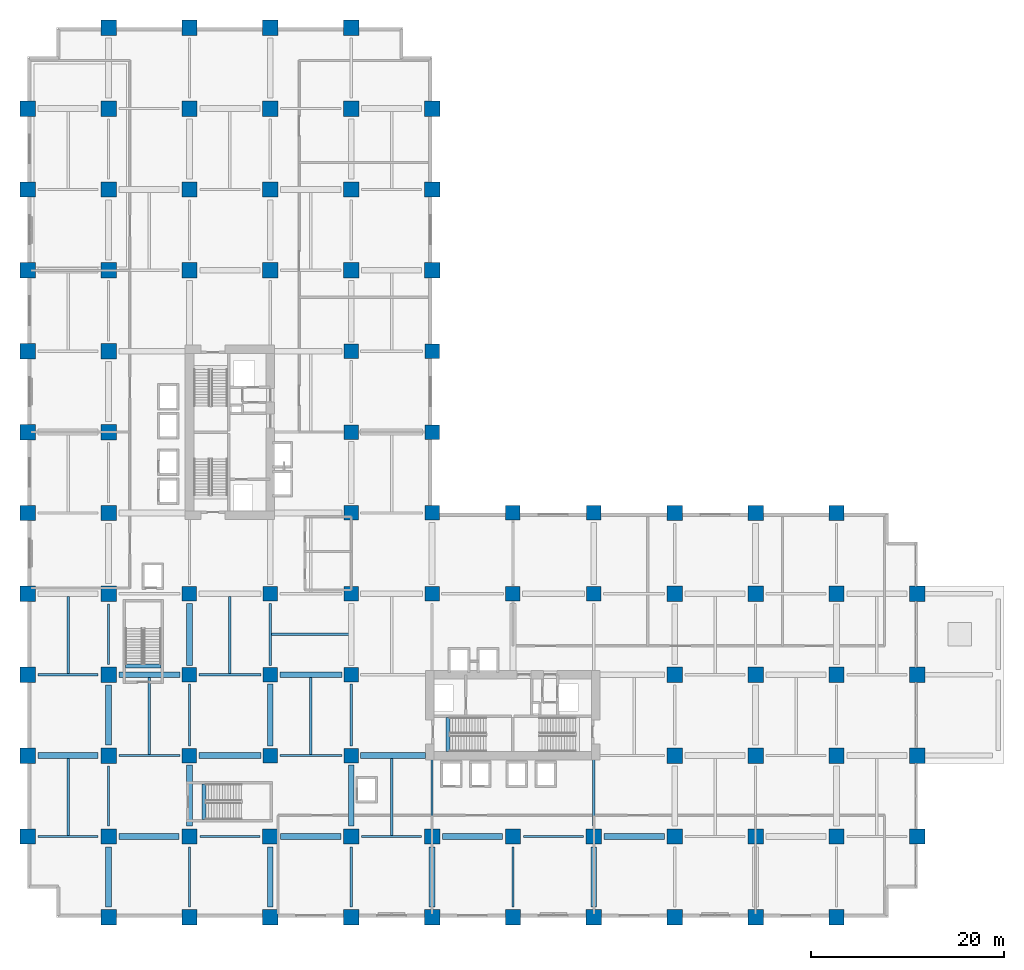
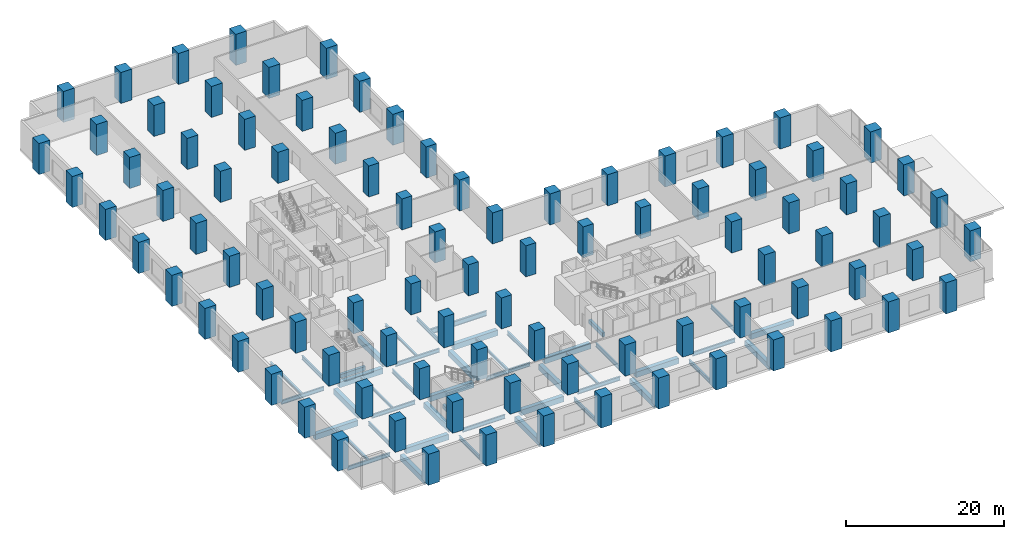
# One storey, part 1 of 22: 91 columns, 46 beams.
"""IFC4 building model written with IfcOpenShell, lengths in metres."""

from ifc_helpers import new_model, si_unit, direction, frame, origin, origin_2d, place, context, subcontext, project, spatial, rectangle, i_section, extrude, material, material_profile, profile_set, type_object, element, save


model = new_model("IFC4")

# Units and contexts
model_context = context("Model", 3, precision=1e-05, world=origin(), true_north=direction((0.0, 1.0)))
body_context = subcontext(model_context, "Body", "Model", "MODEL_VIEW")
ifc_project = project(units=[si_unit("LENGTHUNIT", "METRE"), si_unit("AREAUNIT", "SQUARE_METRE"), si_unit("VOLUMEUNIT", "CUBIC_METRE"), si_unit("PLANEANGLEUNIT", "RADIAN"), si_unit("MASSUNIT", "GRAM", prefix="KILO")], contexts=[model_context])

# Site, building, storey
site_placement = place(None, origin())
site = spatial("IfcSite", under=ifc_project, at=site_placement, CompositionType="ELEMENT")
building_placement = place(site_placement, origin())
building = spatial("IfcBuilding", under=site, at=building_placement, Name="Koriwani Terraces Tower", CompositionType="ELEMENT")
storey_placement = place(building_placement, frame((0.0, 0.0, 6.0)))
storey = spatial("IfcBuildingStorey", under=building, at=storey_placement, Name="L01", CompositionType="ELEMENT", Elevation=6.0)

# Columns
ifc_material_1 = material(Name="Concrete C60/75", Category="concrete")
ifc_material_profile_1 = material_profile(ifc_material_1, rectangle(XDim=1.5, YDim=1.5, at=origin_2d()), Name="Concrete C60/75", Category="LoadBearing")
ifc_profile_set_1 = profile_set([ifc_material_profile_1], Name="Concrete C60/75")
column_type_1 = type_object("IfcColumnType", Name="COL_RC_1500X1500", PredefinedType="COLUMN", material=ifc_profile_set_1)
for number, where, z_axis, x_axis, name in (
    (1, (16.800048828125, 16.800048828125, 0.0), (0.0, 0.0, 1.0), (1.0, 0.0, 0.0), "L01 Column 3/C"),
    (2, (16.800048828125, 25.199951171875, 0.0), (0.0, 0.0, 1.0), (1.0, 0.0, 0.0), "L01 Column 3/D"),
    (3, (16.800048828125, 33.60009765625, 0.0), (0.0, 0.0, 1.0), (1.0, 0.0, 0.0), "L01 Column 3/E"),
    (4, (25.199951171875, 16.800048828125, 0.0), (0.0, 0.0, 1.0), (1.0, 0.0, 0.0), "L01 Column 4/C"),
    (5, (25.199951171875, 25.199951171875, 0.0), (0.0, 0.0, 1.0), (1.0, 0.0, 0.0), "L01 Column 4/D"),
    (6, (25.199951171875, 33.60009765625, 0.0), (0.0, 0.0, 1.0), (1.0, 0.0, 0.0), "L01 Column 4/E"),
    (7, (33.60009765625, 16.800048828125, 0.0), (0.0, 0.0, 1.0), (1.0, 0.0, 0.0), "L01 Column 5/C"),
    (8, (33.60009765625, 25.199951171875, 0.0), (0.0, 0.0, 1.0), (1.0, 0.0, 0.0), "L01 Column 5/D"),
    (9, (33.60009765625, 33.60009765625, 0.0), (0.0, 0.0, 1.0), (1.0, 0.0, 0.0), "L01 Column 5/E"),
    (10, (33.60009765625, 42.0, 0.0), (0.0, 0.0, 1.0), (1.0, 0.0, 0.0), "L01 Column 5/F"),
    (11, (33.60009765625, 50.39990234375, 0.0), (0.0, 0.0, 1.0), (1.0, 0.0, 0.0), "L01 Column 5/G"),
    (12, (33.60009765625, 58.800048828125, 0.0), (0.0, 0.0, 1.0), (1.0, 0.0, 0.0), "L01 Column 5/H"),
    (13, (42.0, 33.60009765625, 0.0), (0.0, 0.0, 1.0), (1.0, 0.0, 0.0), "L01 Column 6/E"),
    (14, (42.0, 42.0, 0.0), (0.0, 0.0, 1.0), (1.0, 0.0, 0.0), "L01 Column 6/F"),
    (15, (42.0, 50.39990234375, 0.0), (0.0, 0.0, 1.0), (1.0, 0.0, 0.0), "L01 Column 6/G"),
    (16, (42.0, 58.800048828125, 0.0), (0.0, 0.0, 1.0), (1.0, 0.0, 0.0), "L01 Column 6/H"),
    (17, (50.39990234375, 33.60009765625, 0.0), (0.0, 0.0, 1.0), (1.0, 0.0, 0.0), "L01 Column 7/E"),
    (18, (50.39990234375, 42.0, 0.0), (0.0, 0.0, 1.0), (1.0, 0.0, 0.0), "L01 Column 7/F"),
    (19, (58.800048828125, 33.60009765625, 0.0), (0.0, 0.0, 1.0), (1.0, 0.0, 0.0), "L01 Column 8/E"),
    (20, (58.800048828125, 42.0, 0.0), (0.0, 0.0, 1.0), (1.0, 0.0, 0.0), "L01 Column 8/F"),
):
    element("IfcColumn", number, at=place(storey_placement, frame(where, z_axis=z_axis, x_axis=x_axis)), inside=storey, type_object=column_type_1, Name=name, PredefinedType="COLUMN", context=body_context, shape_type="SweptSolid", body=[
        extrude(rectangle(XDim=1.5, YDim=1.5, at=origin_2d()), origin(), (0.0, 0.0, 1.0), 4.800048828125),
    ])
ifc_material_profile_2 = material_profile(ifc_material_1, rectangle(XDim=1.60009765625, YDim=1.60009765625, at=origin_2d()), Name="Concrete C60/75", Category="LoadBearing")
ifc_profile_set_2 = profile_set([ifc_material_profile_2], Name="Concrete C60/75")
column_type_2 = type_object("IfcColumnType", Name="COL_RC_1600X1600", PredefinedType="COLUMN", material=ifc_profile_set_2)
for number, where, z_axis, x_axis, name in (
    (21, (0.0, 8.39990234375, 0.0), (0.0, 0.0, 1.0), (1.0, 0.0, 0.0), "L01 Column 1/B"),
    (22, (0.0, 16.800048828125, 0.0), (0.0, 0.0, 1.0), (1.0, 0.0, 0.0), "L01 Column 1/C"),
    (23, (0.0, 25.199951171875, 0.0), (0.0, 0.0, 1.0), (1.0, 0.0, 0.0), "L01 Column 1/D"),
    (24, (0.0, 33.60009765625, 0.0), (0.0, 0.0, 1.0), (1.0, 0.0, 0.0), "L01 Column 1/E"),
    (25, (0.0, 42.0, 0.0), (0.0, 0.0, 1.0), (1.0, 0.0, 0.0), "L01 Column 1/F"),
    (26, (0.0, 50.39990234375, 0.0), (0.0, 0.0, 1.0), (1.0, 0.0, 0.0), "L01 Column 1/G"),
    (27, (0.0, 58.800048828125, 0.0), (0.0, 0.0, 1.0), (1.0, 0.0, 0.0), "L01 Column 1/H"),
    (28, (0.0, 67.199951171875, 0.0), (0.0, 0.0, 1.0), (1.0, 0.0, 0.0), "L01 Column 1/I"),
    (29, (0.0, 75.60009765625, 0.0), (0.0, 0.0, 1.0), (1.0, 0.0, 0.0), "L01 Column 1/J"),
    (30, (0.0, 84.0, 0.0), (0.0, 0.0, 1.0), (1.0, 0.0, 0.0), "L01 Column 1/K"),
    (31, (8.39990234375, 0.0, 0.0), (0.0, 0.0, 1.0), (1.0, 0.0, 0.0), "L01 Column 2/A"),
    (32, (8.39990234375, 8.39990234375, 0.0), (0.0, 0.0, 1.0), (1.0, 0.0, 0.0), "L01 Column 2/B"),
    (33, (8.39990234375, 16.800048828125, 0.0), (0.0, 0.0, 1.0), (1.0, 0.0, 0.0), "L01 Column 2/C"),
    (34, (8.39990234375, 25.199951171875, 0.0), (0.0, 0.0, 1.0), (1.0, 0.0, 0.0), "L01 Column 2/D"),
    (35, (8.39990234375, 33.60009765625, 0.0), (0.0, 0.0, 1.0), (1.0, 0.0, 0.0), "L01 Column 2/E"),
    (36, (8.39990234375, 42.0, 0.0), (0.0, 0.0, 1.0), (1.0, 0.0, 0.0), "L01 Column 2/F"),
    (37, (8.39990234375, 50.39990234375, 0.0), (0.0, 0.0, 1.0), (1.0, 0.0, 0.0), "L01 Column 2/G"),
    (38, (8.39990234375, 58.800048828125, 0.0), (0.0, 0.0, 1.0), (1.0, 0.0, 0.0), "L01 Column 2/H"),
    (39, (8.39990234375, 67.199951171875, 0.0), (0.0, 0.0, 1.0), (1.0, 0.0, 0.0), "L01 Column 2/I"),
    (40, (8.39990234375, 75.60009765625, 0.0), (0.0, 0.0, 1.0), (1.0, 0.0, 0.0), "L01 Column 2/J"),
    (41, (8.39990234375, 84.0, 0.0), (0.0, 0.0, 1.0), (1.0, 0.0, 0.0), "L01 Column 2/K"),
    (42, (8.39990234375, 92.39990234375, 0.0), (0.0, 0.0, 1.0), (1.0, 0.0, 0.0), "L01 Column 2/L"),
    (43, (16.800048828125, 0.0, 0.0), (0.0, 0.0, 1.0), (1.0, 0.0, 0.0), "L01 Column 3/A"),
    (44, (16.800048828125, 8.39990234375, 0.0), (0.0, 0.0, 1.0), (1.0, 0.0, 0.0), "L01 Column 3/B"),
    (45, (16.800048828125, 67.199951171875, 0.0), (0.0, 0.0, 1.0), (1.0, 0.0, 0.0), "L01 Column 3/I"),
    (46, (16.800048828125, 75.60009765625, 0.0), (0.0, 0.0, 1.0), (1.0, 0.0, 0.0), "L01 Column 3/J"),
    (47, (16.800048828125, 84.0, 0.0), (0.0, 0.0, 1.0), (1.0, 0.0, 0.0), "L01 Column 3/K"),
    (48, (16.800048828125, 92.39990234375, 0.0), (0.0, 0.0, 1.0), (1.0, 0.0, 0.0), "L01 Column 3/L"),
    (49, (25.199951171875, 0.0, 0.0), (0.0, 0.0, 1.0), (1.0, 0.0, 0.0), "L01 Column 4/A"),
    (50, (25.199951171875, 8.39990234375, 0.0), (0.0, 0.0, 1.0), (1.0, 0.0, 0.0), "L01 Column 4/B"),
    (51, (25.199951171875, 67.199951171875, 0.0), (0.0, 0.0, 1.0), (1.0, 0.0, 0.0), "L01 Column 4/I"),
    (52, (25.199951171875, 75.60009765625, 0.0), (0.0, 0.0, 1.0), (1.0, 0.0, 0.0), "L01 Column 4/J"),
    (53, (25.199951171875, 84.0, 0.0), (0.0, 0.0, 1.0), (1.0, 0.0, 0.0), "L01 Column 4/K"),
    (54, (25.199951171875, 92.39990234375, 0.0), (0.0, 0.0, 1.0), (1.0, 0.0, 0.0), "L01 Column 4/L"),
    (55, (33.60009765625, 0.0, 0.0), (0.0, 0.0, 1.0), (1.0, 0.0, 0.0), "L01 Column 5/A"),
    (56, (33.60009765625, 8.39990234375, 0.0), (0.0, 0.0, 1.0), (1.0, 0.0, 0.0), "L01 Column 5/B"),
    (57, (33.60009765625, 67.199951171875, 0.0), (0.0, 0.0, 1.0), (1.0, 0.0, 0.0), "L01 Column 5/I"),
    (58, (33.60009765625, 75.60009765625, 0.0), (0.0, 0.0, 1.0), (1.0, 0.0, 0.0), "L01 Column 5/J"),
    (59, (33.60009765625, 84.0, 0.0), (0.0, 0.0, 1.0), (1.0, 0.0, 0.0), "L01 Column 5/K"),
    (60, (33.60009765625, 92.39990234375, 0.0), (0.0, 0.0, 1.0), (1.0, 0.0, 0.0), "L01 Column 5/L"),
    (61, (42.0, 0.0, 0.0), (0.0, 0.0, 1.0), (1.0, 0.0, 0.0), "L01 Column 6/A"),
    (62, (42.0, 8.39990234375, 0.0), (0.0, 0.0, 1.0), (1.0, 0.0, 0.0), "L01 Column 6/B"),
    (63, (42.0, 67.199951171875, 0.0), (0.0, 0.0, 1.0), (1.0, 0.0, 0.0), "L01 Column 6/I"),
    (64, (42.0, 75.60009765625, 0.0), (0.0, 0.0, 1.0), (1.0, 0.0, 0.0), "L01 Column 6/J"),
    (65, (42.0, 84.0, 0.0), (0.0, 0.0, 1.0), (1.0, 0.0, 0.0), "L01 Column 6/K"),
    (66, (50.39990234375, 0.0, 0.0), (0.0, 0.0, 1.0), (1.0, 0.0, 0.0), "L01 Column 7/A"),
    (67, (50.39990234375, 8.39990234375, 0.0), (0.0, 0.0, 1.0), (1.0, 0.0, 0.0), "L01 Column 7/B"),
    (68, (58.800048828125, 0.0, 0.0), (0.0, 0.0, 1.0), (1.0, 0.0, 0.0), "L01 Column 8/A"),
    (69, (58.800048828125, 8.39990234375, 0.0), (0.0, 0.0, 1.0), (1.0, 0.0, 0.0), "L01 Column 8/B"),
    (70, (67.199951171875, 0.0, 0.0), (0.0, 0.0, 1.0), (1.0, 0.0, 0.0), "L01 Column 9/A"),
    (71, (67.199951171875, 8.39990234375, 0.0), (0.0, 0.0, 1.0), (1.0, 0.0, 0.0), "L01 Column 9/B"),
    (72, (67.199951171875, 16.800048828125, 0.0), (0.0, 0.0, 1.0), (1.0, 0.0, 0.0), "L01 Column 9/C"),
    (73, (67.199951171875, 25.199951171875, 0.0), (0.0, 0.0, 1.0), (1.0, 0.0, 0.0), "L01 Column 9/D"),
    (74, (67.199951171875, 33.60009765625, 0.0), (0.0, 0.0, 1.0), (1.0, 0.0, 0.0), "L01 Column 9/E"),
    (75, (67.199951171875, 42.0, 0.0), (0.0, 0.0, 1.0), (1.0, 0.0, 0.0), "L01 Column 9/F"),
    (76, (75.60009765625, 0.0, 0.0), (0.0, 0.0, 1.0), (1.0, 0.0, 0.0), "L01 Column 10/A"),
    (77, (75.60009765625, 8.39990234375, 0.0), (0.0, 0.0, 1.0), (1.0, 0.0, 0.0), "L01 Column 10/B"),
    (78, (75.60009765625, 16.800048828125, 0.0), (0.0, 0.0, 1.0), (1.0, 0.0, 0.0), "L01 Column 10/C"),
    (79, (75.60009765625, 25.199951171875, 0.0), (0.0, 0.0, 1.0), (1.0, 0.0, 0.0), "L01 Column 10/D"),
    (80, (75.60009765625, 33.60009765625, 0.0), (0.0, 0.0, 1.0), (1.0, 0.0, 0.0), "L01 Column 10/E"),
    (81, (75.60009765625, 42.0, 0.0), (0.0, 0.0, 1.0), (1.0, 0.0, 0.0), "L01 Column 10/F"),
    (82, (84.0, 0.0, 0.0), (0.0, 0.0, 1.0), (1.0, 0.0, 0.0), "L01 Column 11/A"),
    (83, (84.0, 8.39990234375, 0.0), (0.0, 0.0, 1.0), (1.0, 0.0, 0.0), "L01 Column 11/B"),
    (84, (84.0, 16.800048828125, 0.0), (0.0, 0.0, 1.0), (1.0, 0.0, 0.0), "L01 Column 11/C"),
    (85, (84.0, 25.199951171875, 0.0), (0.0, 0.0, 1.0), (1.0, 0.0, 0.0), "L01 Column 11/D"),
    (86, (84.0, 33.60009765625, 0.0), (0.0, 0.0, 1.0), (1.0, 0.0, 0.0), "L01 Column 11/E"),
    (87, (84.0, 42.0, 0.0), (0.0, 0.0, 1.0), (1.0, 0.0, 0.0), "L01 Column 11/F"),
    (88, (92.39990234375, 8.39990234375, 0.0), (0.0, 0.0, 1.0), (1.0, 0.0, 0.0), "L01 Column 12/B"),
    (89, (92.39990234375, 16.800048828125, 0.0), (0.0, 0.0, 1.0), (1.0, 0.0, 0.0), "L01 Column 12/C"),
    (90, (92.39990234375, 25.199951171875, 0.0), (0.0, 0.0, 1.0), (1.0, 0.0, 0.0), "L01 Column 12/D"),
    (91, (92.39990234375, 33.60009765625, 0.0), (0.0, 0.0, 1.0), (1.0, 0.0, 0.0), "L01 Column 12/E"),
):
    element("IfcColumn", number, at=place(storey_placement, frame(where, z_axis=z_axis, x_axis=x_axis)), inside=storey, type_object=column_type_2, Name=name, PredefinedType="COLUMN", context=body_context, shape_type="SweptSolid", body=[
        extrude(rectangle(XDim=1.60009765625, YDim=1.60009765625, at=origin_2d()), origin(), (0.0, 0.0, 1.0), 4.800048828125),
    ])

# Beams
ifc_material_2 = material(Name="Concrete C40/50", Category="concrete")
ifc_material_profile_3 = material_profile(ifc_material_2, rectangle(XDim=0.39990234375, YDim=0.60009765625, at=origin_2d()), Name="Concrete C40/50", Category="LoadBearing")
ifc_profile_set_3 = profile_set([ifc_material_profile_3], Name="Concrete C40/50")
beam_type_1 = type_object("IfcBeamType", Name="BEAM_RC_GRID_400X600", PredefinedType="BEAM", material=ifc_profile_set_3)
beam_1_placement = place(storey_placement, frame((43.655029296875, 17.25, -0.300048828125), z_axis=(0.0, 1.0, 0.0), x_axis=(-1.0, 0.0, 0.0)))
element("IfcBeam", 92, at=beam_1_placement, inside=storey, type_object=beam_type_1, Name="L01 Stairwell Header Trimmer Beam ST-E1", PredefinedType="BEAM", context=body_context, shape_type="SweptSolid", body=[
    extrude(rectangle(XDim=0.39990234375, YDim=0.60009765625, at=origin_2d()), origin(), (0.0, 0.0, 1.0), 3.5),
])
for number, where, z_axis, x_axis, name in (
    (93, (10.14990234375, 26.10498046875, -0.300048828125), (1.0, 0.0, 0.0), (0.0, 1.0, 0.0), "L01 Stairwell Header Trimmer Beam ST-P1"),
    (94, (18.304931640625, 10.14990234375, -0.300048828125), (0.0, 1.0, 0.0), (-1.0, 0.0, 0.0), "L01 Stairwell Header Trimmer Beam ST-P2"),
):
    element("IfcBeam", number, at=place(storey_placement, frame(where, z_axis=z_axis, x_axis=x_axis)), inside=storey, type_object=beam_type_1, Name=name, PredefinedType="BEAM", context=body_context, shape_type="SweptSolid", body=[
        extrude(rectangle(XDim=0.39990234375, YDim=0.60009765625, at=origin_2d()), origin(), (0.0, 0.0, 1.0), 3.7001953125),
    ])
ifc_material_profile_4 = material_profile(ifc_material_1, rectangle(XDim=0.60009765625, YDim=0.85009765625, at=origin_2d()), Name="Concrete C60/75", Category="LoadBearing")
ifc_profile_set_4 = profile_set([ifc_material_profile_4], Name="Concrete C60/75")
beam_type_2 = type_object("IfcBeamType", Name="BEAM_RC_GRID_600X850", PredefinedType="BEAM", material=ifc_profile_set_4)
for number, where, z_axis, x_axis, name in (
    (95, (9.47998046875, 8.39990234375, -0.77490234375), (1.0, 0.0, 0.0), (0.0, 1.0, 0.0), "L01 Grid Beam B (8.4-16.8m)"),
    (96, (26.280029296875, 8.39990234375, -0.77490234375), (1.0, 0.0, 0.0), (0.0, 1.0, 0.0), "L01 Grid Beam B (25.2-33.6m)"),
    (97, (43.080078125, 8.39990234375, -0.77490234375), (1.0, 0.0, 0.0), (0.0, 1.0, 0.0), "L01 Grid Beam B (42.0-50.4m)"),
):
    element("IfcBeam", number, at=place(storey_placement, frame(where, z_axis=z_axis, x_axis=x_axis)), inside=storey, type_object=beam_type_2, Name=name, PredefinedType="BEAM", context=body_context, shape_type="SweptSolid", body=[
        extrude(rectangle(XDim=0.60009765625, YDim=0.85009765625, at=origin_2d()), origin(), (0.0, 0.0, 1.0), 6.239990234375),
    ])
beam_2_placement = place(storey_placement, frame((59.8798828125, 8.39990234375, -0.77490234375), z_axis=(1.0, 0.0, 0.0), x_axis=(0.0, 1.0, 0.0)))
element("IfcBeam", 98, at=beam_2_placement, inside=storey, type_object=beam_type_2, Name="L01 Grid Beam B (58.8-67.2m)", PredefinedType="BEAM", context=body_context, shape_type="SweptSolid", body=[
    extrude(rectangle(XDim=0.60009765625, YDim=0.85009765625, at=origin_2d()), origin(), (0.0, 0.0, 1.0), 6.240234375),
])
beam_3_placement = place(storey_placement, frame((1.080078125, 16.800048828125, -0.77490234375), z_axis=(1.0, 0.0, 0.0), x_axis=(0.0, 1.0, 0.0)))
element("IfcBeam", 99, at=beam_3_placement, inside=storey, type_object=beam_type_2, Name="L01 Grid Beam C (0.0-8.4m)", PredefinedType="BEAM", context=body_context, shape_type="SweptSolid", body=[
    extrude(rectangle(XDim=0.60009765625, YDim=0.85009765625, at=origin_2d()), origin(), (0.0, 0.0, 1.0), 6.239990234375),
])
beam_4_placement = place(storey_placement, frame((17.780029296875, 16.800048828125, -0.77490234375), z_axis=(1.0, 0.0, 0.0), x_axis=(0.0, 1.0, 0.0)))
element("IfcBeam", 100, at=beam_4_placement, inside=storey, type_object=beam_type_2, Name="L01 Grid Beam C (16.8-25.2m)", PredefinedType="BEAM", context=body_context, shape_type="SweptSolid", body=[
    extrude(rectangle(XDim=0.60009765625, YDim=0.85009765625, at=origin_2d()), origin(), (0.0, 0.0, 1.0), 6.43994140625),
])
beam_5_placement = place(storey_placement, frame((34.580078125, 16.800048828125, -0.77490234375), z_axis=(1.0, 0.0, 0.0), x_axis=(0.0, 1.0, 0.0)))
element("IfcBeam", 101, at=beam_5_placement, inside=storey, type_object=beam_type_2, Name="L01 Grid Beam C (33.6-42.0m)", PredefinedType="BEAM", context=body_context, shape_type="SweptSolid", body=[
    extrude(rectangle(XDim=0.60009765625, YDim=0.85009765625, at=origin_2d()), origin(), (0.0, 0.0, 1.0), 6.739990234375),
])
beam_6_placement = place(storey_placement, frame((9.47998046875, 25.199951171875, -0.77490234375), z_axis=(1.0, 0.0, 0.0), x_axis=(0.0, 1.0, 0.0)))
element("IfcBeam", 102, at=beam_6_placement, inside=storey, type_object=beam_type_2, Name="L01 Grid Beam D (8.4-16.8m)", PredefinedType="BEAM", context=body_context, shape_type="SweptSolid", body=[
    extrude(rectangle(XDim=0.60009765625, YDim=0.85009765625, at=origin_2d()), origin(), (0.0, 0.0, 1.0), 6.340087890625),
])
beam_7_placement = place(storey_placement, frame((26.179931640625, 25.199951171875, -0.77490234375), z_axis=(1.0, 0.0, 0.0), x_axis=(0.0, 1.0, 0.0)))
element("IfcBeam", 103, at=beam_7_placement, inside=storey, type_object=beam_type_2, Name="L01 Grid Beam D (25.2-33.6m)", PredefinedType="BEAM", context=body_context, shape_type="SweptSolid", body=[
    extrude(rectangle(XDim=0.60009765625, YDim=0.85009765625, at=origin_2d()), origin(), (0.0, 0.0, 1.0), 6.440185546875),
])
beam_8_placement = place(storey_placement, frame((8.39990234375, 1.080078125, -0.77490234375), z_axis=(0.0, 1.0, 0.0), x_axis=(-1.0, 0.0, 0.0)))
element("IfcBeam", 104, at=beam_8_placement, inside=storey, type_object=beam_type_2, Name="L01 Grid Beam 2 (0.0-8.4m)", PredefinedType="BEAM", context=body_context, shape_type="SweptSolid", body=[
    extrude(rectangle(XDim=0.60009765625, YDim=0.85009765625, at=origin_2d()), origin(), (0.0, 0.0, 1.0), 6.239990234375),
])
beam_9_placement = place(storey_placement, frame((8.39990234375, 17.8798828125, -0.77490234375), z_axis=(0.0, 1.0, 0.0), x_axis=(-1.0, 0.0, 0.0)))
element("IfcBeam", 105, at=beam_9_placement, inside=storey, type_object=beam_type_2, Name="L01 Grid Beam 2 (16.8-25.2m)", PredefinedType="BEAM", context=body_context, shape_type="SweptSolid", body=[
    extrude(rectangle(XDim=0.60009765625, YDim=0.85009765625, at=origin_2d()), origin(), (0.0, 0.0, 1.0), 6.240234375),
])
beam_10_placement = place(storey_placement, frame((16.800048828125, 9.47998046875, -0.77490234375), z_axis=(0.0, 1.0, 0.0), x_axis=(-1.0, 0.0, 0.0)))
element("IfcBeam", 106, at=beam_10_placement, inside=storey, type_object=beam_type_2, Name="L01 Grid Beam 3 (8.4-16.8m)", PredefinedType="BEAM", context=body_context, shape_type="SweptSolid", body=[
    extrude(rectangle(XDim=0.60009765625, YDim=0.85009765625, at=origin_2d()), origin(), (0.0, 0.0, 1.0), 6.340087890625),
])
beam_11_placement = place(storey_placement, frame((16.800048828125, 26.179931640625, -0.77490234375), z_axis=(0.0, 1.0, 0.0), x_axis=(-1.0, 0.0, 0.0)))
element("IfcBeam", 107, at=beam_11_placement, inside=storey, type_object=beam_type_2, Name="L01 Grid Beam 3 (25.2-33.6m)", PredefinedType="BEAM", context=body_context, shape_type="SweptSolid", body=[
    extrude(rectangle(XDim=0.60009765625, YDim=0.85009765625, at=origin_2d()), origin(), (0.0, 0.0, 1.0), 6.440185546875),
])
beam_12_placement = place(storey_placement, frame((25.199951171875, 1.080078125, -0.77490234375), z_axis=(0.0, 1.0, 0.0), x_axis=(-1.0, 0.0, 0.0)))
element("IfcBeam", 108, at=beam_12_placement, inside=storey, type_object=beam_type_2, Name="L01 Grid Beam 4 (0.0-8.4m)", PredefinedType="BEAM", context=body_context, shape_type="SweptSolid", body=[
    extrude(rectangle(XDim=0.60009765625, YDim=0.85009765625, at=origin_2d()), origin(), (0.0, 0.0, 1.0), 6.239990234375),
])
beam_13_placement = place(storey_placement, frame((25.199951171875, 17.780029296875, -0.77490234375), z_axis=(0.0, 1.0, 0.0), x_axis=(-1.0, 0.0, 0.0)))
element("IfcBeam", 109, at=beam_13_placement, inside=storey, type_object=beam_type_2, Name="L01 Grid Beam 4 (16.8-25.2m)", PredefinedType="BEAM", context=body_context, shape_type="SweptSolid", body=[
    extrude(rectangle(XDim=0.60009765625, YDim=0.85009765625, at=origin_2d()), origin(), (0.0, 0.0, 1.0), 6.43994140625),
])
beam_14_placement = place(storey_placement, frame((33.60009765625, 9.47998046875, -0.77490234375), z_axis=(0.0, 1.0, 0.0), x_axis=(-1.0, 0.0, 0.0)))
element("IfcBeam", 110, at=beam_14_placement, inside=storey, type_object=beam_type_2, Name="L01 Grid Beam 5 (8.4-16.8m)", PredefinedType="BEAM", context=body_context, shape_type="SweptSolid", body=[
    extrude(rectangle(XDim=0.60009765625, YDim=0.85009765625, at=origin_2d()), origin(), (0.0, 0.0, 1.0), 6.340087890625),
])
for number, where, z_axis, x_axis, name in (
    (111, (42.0, 1.080078125, -0.77490234375), (0.0, 1.0, 0.0), (-1.0, 0.0, 0.0), "L01 Grid Beam 6 (0.0-8.4m)"),
    (112, (58.800048828125, 1.080078125, -0.77490234375), (0.0, 1.0, 0.0), (-1.0, 0.0, 0.0), "L01 Grid Beam 8 (0.0-8.4m)"),
):
    element("IfcBeam", number, at=place(storey_placement, frame(where, z_axis=z_axis, x_axis=x_axis)), inside=storey, type_object=beam_type_2, Name=name, PredefinedType="BEAM", context=body_context, shape_type="SweptSolid", body=[
        extrude(rectangle(XDim=0.60009765625, YDim=0.85009765625, at=origin_2d()), origin(), (0.0, 0.0, 1.0), 6.239990234375),
    ])
ifc_material_3 = material(Name="Steel ASTM A572 Grade 50", Category="steel")
ifc_material_profile_5 = material_profile(ifc_material_3, i_section(OverallWidth=0.257080078125, OverallDepth=0.363037109375, WebThickness=0.012939453125, FlangeThickness=0.021728515625, at=origin_2d()), Name="Steel ASTM A572 Grade 50", Category="LoadBearing")
ifc_profile_set_5 = profile_set([ifc_material_profile_5], Name="Steel ASTM A572 Grade 50")
beam_type_3 = type_object("IfcBeamType", Name="STEEL_BEAM_W360X122", PredefinedType="JOIST", material=ifc_profile_set_5)
for number, where, z_axis, x_axis, name in (
    (113, (4.199951171875, 8.50439453125, -0.531494140625), (0.0, 1.0, 0.0), (-1.0, 0.0, 0.0), "L01 Secondary Steel Floor Joist X=4.2m"),
    (114, (4.199951171875, 25.304443359375, -0.531494140625), (0.0, 1.0, 0.0), (-1.0, 0.0, 0.0), "L01 Secondary Steel Floor Joist X=4.2m"),
):
    element("IfcBeam", number, at=place(storey_placement, frame(where, z_axis=z_axis, x_axis=x_axis)), inside=storey, type_object=beam_type_3, Name=name, PredefinedType="JOIST", context=body_context, shape_type="SweptSolid", body=[
        extrude(i_section(OverallWidth=0.257080078125, OverallDepth=0.363037109375, WebThickness=0.012939453125, FlangeThickness=0.021728515625, at=origin_2d()), origin(), (0.0, 0.0, 1.0), 8.005615234375),
    ])
beam_15_placement = place(storey_placement, frame((12.60009765625, 16.904541015625, -0.531494140625), z_axis=(0.0, 1.0, 0.0), x_axis=(-1.0, 0.0, 0.0)))
element("IfcBeam", 115, at=beam_15_placement, inside=storey, type_object=beam_type_3, Name="L01 Secondary Steel Floor Joist X=12.6m", PredefinedType="JOIST", context=body_context, shape_type="SweptSolid", body=[
    extrude(i_section(OverallWidth=0.257080078125, OverallDepth=0.363037109375, WebThickness=0.012939453125, FlangeThickness=0.021728515625, at=origin_2d()), origin(), (0.0, 0.0, 1.0), 8.00537109375),
])
beam_16_placement = place(storey_placement, frame((21.0, 25.304443359375, -0.531494140625), z_axis=(0.0, 1.0, 0.0), x_axis=(-1.0, 0.0, 0.0)))
element("IfcBeam", 116, at=beam_16_placement, inside=storey, type_object=beam_type_3, Name="L01 Secondary Steel Floor Joist X=21.0m", PredefinedType="JOIST", context=body_context, shape_type="SweptSolid", body=[
    extrude(i_section(OverallWidth=0.257080078125, OverallDepth=0.363037109375, WebThickness=0.012939453125, FlangeThickness=0.021728515625, at=origin_2d()), origin(), (0.0, 0.0, 1.0), 8.005615234375),
])
beam_17_placement = place(storey_placement, frame((29.39990234375, 16.904541015625, -0.531494140625), z_axis=(0.0, 1.0, 0.0), x_axis=(-1.0, 0.0, 0.0)))
element("IfcBeam", 117, at=beam_17_placement, inside=storey, type_object=beam_type_3, Name="L01 Secondary Steel Floor Joist X=29.4m", PredefinedType="JOIST", context=body_context, shape_type="SweptSolid", body=[
    extrude(i_section(OverallWidth=0.257080078125, OverallDepth=0.363037109375, WebThickness=0.012939453125, FlangeThickness=0.021728515625, at=origin_2d()), origin(), (0.0, 0.0, 1.0), 8.00537109375),
])
beam_18_placement = place(storey_placement, frame((37.800048828125, 8.50439453125, -0.531494140625), z_axis=(0.0, 1.0, 0.0), x_axis=(-1.0, 0.0, 0.0)))
element("IfcBeam", 118, at=beam_18_placement, inside=storey, type_object=beam_type_3, Name="L01 Secondary Steel Floor Joist X=37.8m", PredefinedType="JOIST", context=body_context, shape_type="SweptSolid", body=[
    extrude(i_section(OverallWidth=0.257080078125, OverallDepth=0.363037109375, WebThickness=0.012939453125, FlangeThickness=0.021728515625, at=origin_2d()), origin(), (0.0, 0.0, 1.0), 8.005615234375),
])
ifc_material_profile_6 = material_profile(ifc_material_3, i_section(OverallWidth=0.22900390625, OverallDepth=0.611083984375, WebThickness=0.0126953125, FlangeThickness=0.022216796875, at=origin_2d()), Name="Steel ASTM A572 Grade 50", Category="LoadBearing")
ifc_profile_set_6 = profile_set([ifc_material_profile_6], Name="Steel ASTM A572 Grade 50")
beam_type_4 = type_object("IfcBeamType", Name="STEEL_BEAM_W610X155", PredefinedType="BEAM", material=ifc_profile_set_6)
beam_19_placement = place(storey_placement, frame((1.080078125, 8.39990234375, -0.655517578125), z_axis=(1.0, 0.0, 0.0), x_axis=(0.0, 1.0, 0.0)))
element("IfcBeam", 119, at=beam_19_placement, inside=storey, type_object=beam_type_4, Name="L01 Grid Beam B (0.0-8.4m)", PredefinedType="BEAM", context=body_context, shape_type="SweptSolid", body=[
    extrude(i_section(OverallWidth=0.22900390625, OverallDepth=0.611083984375, WebThickness=0.0126953125, FlangeThickness=0.022216796875, at=origin_2d()), origin(), (0.0, 0.0, 1.0), 6.239990234375),
])
beam_20_placement = place(storey_placement, frame((17.8798828125, 8.39990234375, -0.655517578125), z_axis=(1.0, 0.0, 0.0), x_axis=(0.0, 1.0, 0.0)))
element("IfcBeam", 120, at=beam_20_placement, inside=storey, type_object=beam_type_4, Name="L01 Grid Beam B (16.8-25.2m)", PredefinedType="BEAM", context=body_context, shape_type="SweptSolid", body=[
    extrude(i_section(OverallWidth=0.22900390625, OverallDepth=0.611083984375, WebThickness=0.0126953125, FlangeThickness=0.022216796875, at=origin_2d()), origin(), (0.0, 0.0, 1.0), 6.240234375),
])
for number, where, z_axis, x_axis, name in (
    (121, (34.679931640625, 8.39990234375, -0.655517578125), (1.0, 0.0, 0.0), (0.0, 1.0, 0.0), "L01 Grid Beam B (33.6-42.0m)"),
    (122, (51.47998046875, 8.39990234375, -0.655517578125), (1.0, 0.0, 0.0), (0.0, 1.0, 0.0), "L01 Grid Beam B (50.4-58.8m)"),
):
    element("IfcBeam", number, at=place(storey_placement, frame(where, z_axis=z_axis, x_axis=x_axis)), inside=storey, type_object=beam_type_4, Name=name, PredefinedType="BEAM", context=body_context, shape_type="SweptSolid", body=[
        extrude(i_section(OverallWidth=0.22900390625, OverallDepth=0.611083984375, WebThickness=0.0126953125, FlangeThickness=0.022216796875, at=origin_2d()), origin(), (0.0, 0.0, 1.0), 6.239990234375),
    ])
beam_21_placement = place(storey_placement, frame((9.47998046875, 16.800048828125, -0.655517578125), z_axis=(1.0, 0.0, 0.0), x_axis=(0.0, 1.0, 0.0)))
element("IfcBeam", 123, at=beam_21_placement, inside=storey, type_object=beam_type_4, Name="L01 Grid Beam C (8.4-16.8m)", PredefinedType="BEAM", context=body_context, shape_type="SweptSolid", body=[
    extrude(i_section(OverallWidth=0.22900390625, OverallDepth=0.611083984375, WebThickness=0.0126953125, FlangeThickness=0.022216796875, at=origin_2d()), origin(), (0.0, 0.0, 1.0), 6.340087890625),
])
beam_22_placement = place(storey_placement, frame((26.179931640625, 16.800048828125, -0.655517578125), z_axis=(1.0, 0.0, 0.0), x_axis=(0.0, 1.0, 0.0)))
element("IfcBeam", 124, at=beam_22_placement, inside=storey, type_object=beam_type_4, Name="L01 Grid Beam C (25.2-33.6m)", PredefinedType="BEAM", context=body_context, shape_type="SweptSolid", body=[
    extrude(i_section(OverallWidth=0.22900390625, OverallDepth=0.611083984375, WebThickness=0.0126953125, FlangeThickness=0.022216796875, at=origin_2d()), origin(), (0.0, 0.0, 1.0), 6.440185546875),
])
beam_23_placement = place(storey_placement, frame((1.080078125, 25.199951171875, -0.655517578125), z_axis=(1.0, 0.0, 0.0), x_axis=(0.0, 1.0, 0.0)))
element("IfcBeam", 125, at=beam_23_placement, inside=storey, type_object=beam_type_4, Name="L01 Grid Beam D (0.0-8.4m)", PredefinedType="BEAM", context=body_context, shape_type="SweptSolid", body=[
    extrude(i_section(OverallWidth=0.22900390625, OverallDepth=0.611083984375, WebThickness=0.0126953125, FlangeThickness=0.022216796875, at=origin_2d()), origin(), (0.0, 0.0, 1.0), 6.239990234375),
])
beam_24_placement = place(storey_placement, frame((17.780029296875, 25.199951171875, -0.655517578125), z_axis=(1.0, 0.0, 0.0), x_axis=(0.0, 1.0, 0.0)))
element("IfcBeam", 126, at=beam_24_placement, inside=storey, type_object=beam_type_4, Name="L01 Grid Beam D (16.8-25.2m)", PredefinedType="BEAM", context=body_context, shape_type="SweptSolid", body=[
    extrude(i_section(OverallWidth=0.22900390625, OverallDepth=0.611083984375, WebThickness=0.0126953125, FlangeThickness=0.022216796875, at=origin_2d()), origin(), (0.0, 0.0, 1.0), 6.43994140625),
])
for number, where, z_axis, x_axis, name in (
    (127, (8.39990234375, 9.47998046875, -0.655517578125), (0.0, 1.0, 0.0), (-1.0, 0.0, 0.0), "L01 Grid Beam 2 (8.4-16.8m)"),
    (128, (8.39990234375, 26.280029296875, -0.655517578125), (0.0, 1.0, 0.0), (-1.0, 0.0, 0.0), "L01 Grid Beam 2 (25.2-33.6m)"),
    (129, (16.800048828125, 1.080078125, -0.655517578125), (0.0, 1.0, 0.0), (-1.0, 0.0, 0.0), "L01 Grid Beam 3 (0.0-8.4m)"),
):
    element("IfcBeam", number, at=place(storey_placement, frame(where, z_axis=z_axis, x_axis=x_axis)), inside=storey, type_object=beam_type_4, Name=name, PredefinedType="BEAM", context=body_context, shape_type="SweptSolid", body=[
        extrude(i_section(OverallWidth=0.22900390625, OverallDepth=0.611083984375, WebThickness=0.0126953125, FlangeThickness=0.022216796875, at=origin_2d()), origin(), (0.0, 0.0, 1.0), 6.239990234375),
    ])
beam_25_placement = place(storey_placement, frame((16.800048828125, 17.780029296875, -0.655517578125), z_axis=(0.0, 1.0, 0.0), x_axis=(-1.0, 0.0, 0.0)))
element("IfcBeam", 130, at=beam_25_placement, inside=storey, type_object=beam_type_4, Name="L01 Grid Beam 3 (16.8-25.2m)", PredefinedType="BEAM", context=body_context, shape_type="SweptSolid", body=[
    extrude(i_section(OverallWidth=0.22900390625, OverallDepth=0.611083984375, WebThickness=0.0126953125, FlangeThickness=0.022216796875, at=origin_2d()), origin(), (0.0, 0.0, 1.0), 6.43994140625),
])
beam_26_placement = place(storey_placement, frame((25.199951171875, 26.179931640625, -0.655517578125), z_axis=(0.0, 1.0, 0.0), x_axis=(-1.0, 0.0, 0.0)))
element("IfcBeam", 131, at=beam_26_placement, inside=storey, type_object=beam_type_4, Name="L01 Grid Beam 4 (25.2-33.6m)", PredefinedType="BEAM", context=body_context, shape_type="SweptSolid", body=[
    extrude(i_section(OverallWidth=0.22900390625, OverallDepth=0.611083984375, WebThickness=0.0126953125, FlangeThickness=0.022216796875, at=origin_2d()), origin(), (0.0, 0.0, 1.0), 6.440185546875),
])
beam_27_placement = place(storey_placement, frame((33.60009765625, 1.080078125, -0.655517578125), z_axis=(0.0, 1.0, 0.0), x_axis=(-1.0, 0.0, 0.0)))
element("IfcBeam", 132, at=beam_27_placement, inside=storey, type_object=beam_type_4, Name="L01 Grid Beam 5 (0.0-8.4m)", PredefinedType="BEAM", context=body_context, shape_type="SweptSolid", body=[
    extrude(i_section(OverallWidth=0.22900390625, OverallDepth=0.611083984375, WebThickness=0.0126953125, FlangeThickness=0.022216796875, at=origin_2d()), origin(), (0.0, 0.0, 1.0), 6.239990234375),
])
beam_28_placement = place(storey_placement, frame((33.60009765625, 17.780029296875, -0.655517578125), z_axis=(0.0, 1.0, 0.0), x_axis=(-1.0, 0.0, 0.0)))
element("IfcBeam", 133, at=beam_28_placement, inside=storey, type_object=beam_type_4, Name="L01 Grid Beam 5 (16.8-25.2m)", PredefinedType="BEAM", context=body_context, shape_type="SweptSolid", body=[
    extrude(i_section(OverallWidth=0.22900390625, OverallDepth=0.611083984375, WebThickness=0.0126953125, FlangeThickness=0.022216796875, at=origin_2d()), origin(), (0.0, 0.0, 1.0), 6.43994140625),
])
beam_29_placement = place(storey_placement, frame((42.0, 9.47998046875, -0.655517578125), z_axis=(0.0, 1.0, 0.0), x_axis=(-1.0, 0.0, 0.0)))
element("IfcBeam", 134, at=beam_29_placement, inside=storey, type_object=beam_type_4, Name="L01 Grid Beam 6 (8.4-16.8m)", PredefinedType="BEAM", context=body_context, shape_type="SweptSolid", body=[
    extrude(i_section(OverallWidth=0.22900390625, OverallDepth=0.611083984375, WebThickness=0.0126953125, FlangeThickness=0.022216796875, at=origin_2d()), origin(), (0.0, 0.0, 1.0), 6.89013671875),
])
beam_30_placement = place(storey_placement, frame((50.39990234375, 1.080078125, -0.655517578125), z_axis=(0.0, 1.0, 0.0), x_axis=(-1.0, 0.0, 0.0)))
element("IfcBeam", 135, at=beam_30_placement, inside=storey, type_object=beam_type_4, Name="L01 Grid Beam 7 (0.0-8.4m)", PredefinedType="BEAM", context=body_context, shape_type="SweptSolid", body=[
    extrude(i_section(OverallWidth=0.22900390625, OverallDepth=0.611083984375, WebThickness=0.0126953125, FlangeThickness=0.022216796875, at=origin_2d()), origin(), (0.0, 0.0, 1.0), 6.239990234375),
])
beam_31_placement = place(storey_placement, frame((58.800048828125, 9.47998046875, -0.655517578125), z_axis=(0.0, 1.0, 0.0), x_axis=(-1.0, 0.0, 0.0)))
element("IfcBeam", 136, at=beam_31_placement, inside=storey, type_object=beam_type_4, Name="L01 Grid Beam 8 (8.4-16.8m)", PredefinedType="BEAM", context=body_context, shape_type="SweptSolid", body=[
    extrude(i_section(OverallWidth=0.22900390625, OverallDepth=0.611083984375, WebThickness=0.0126953125, FlangeThickness=0.022216796875, at=origin_2d()), origin(), (0.0, 0.0, 1.0), 6.89013671875),
])
ifc_material_profile_7 = material_profile(ifc_material_3, i_section(OverallWidth=0.27001953125, OverallDepth=0.77294921875, WebThickness=0.01708984375, FlangeThickness=0.027587890625, at=origin_2d()), Name="Steel ASTM A572 Grade 50", Category="LoadBearing")
ifc_profile_set_7 = profile_set([ifc_material_profile_7], Name="Steel ASTM A572 Grade 50")
beam_type_5 = type_object("IfcBeamType", Name="STEEL_BEAM_W760X257", PredefinedType="USERDEFINED", material=ifc_profile_set_7)
beam_32_placement = place(storey_placement, frame((25.280029296875, 29.39990234375, -0.736572265625), z_axis=(1.0, 0.0, 0.0), x_axis=(0.0, 1.0, 0.0)))
element("IfcBeam", 137, at=beam_32_placement, inside=storey, type_object=beam_type_5, Name="L01 Podium Collector Steel Girder (STEEL_BEAM_W760X257)", ObjectType="GIRDER", PredefinedType="USERDEFINED", context=body_context, shape_type="SweptSolid", body=[
    extrude(i_section(OverallWidth=0.27001953125, OverallDepth=0.77294921875, WebThickness=0.01708984375, FlangeThickness=0.027587890625, at=origin_2d()), origin(), (0.0, 0.0, 1.0), 8.239990234375),
])

save(model, "model.ifc")
